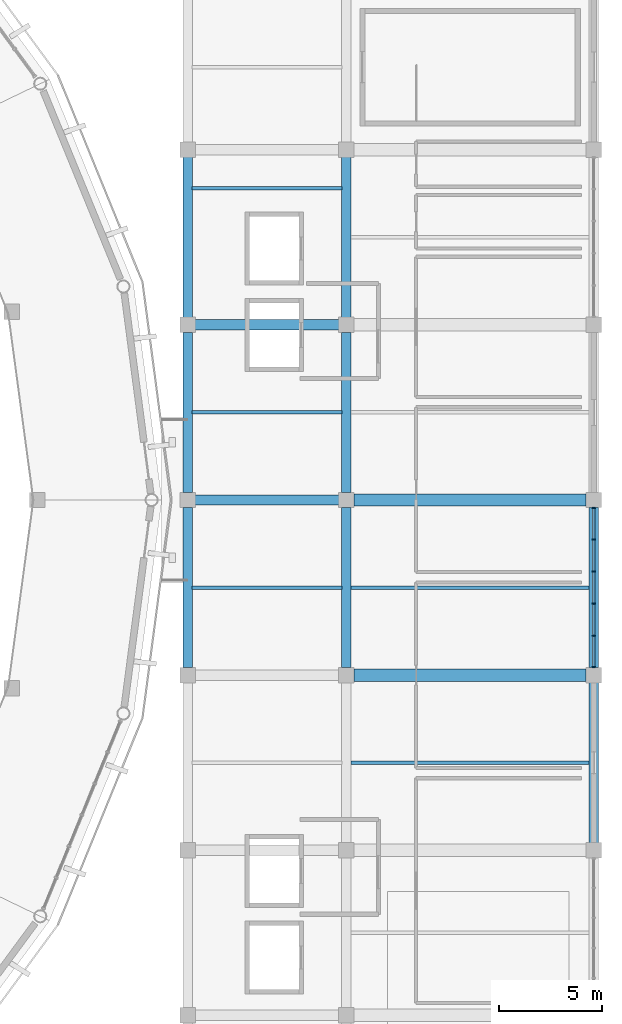
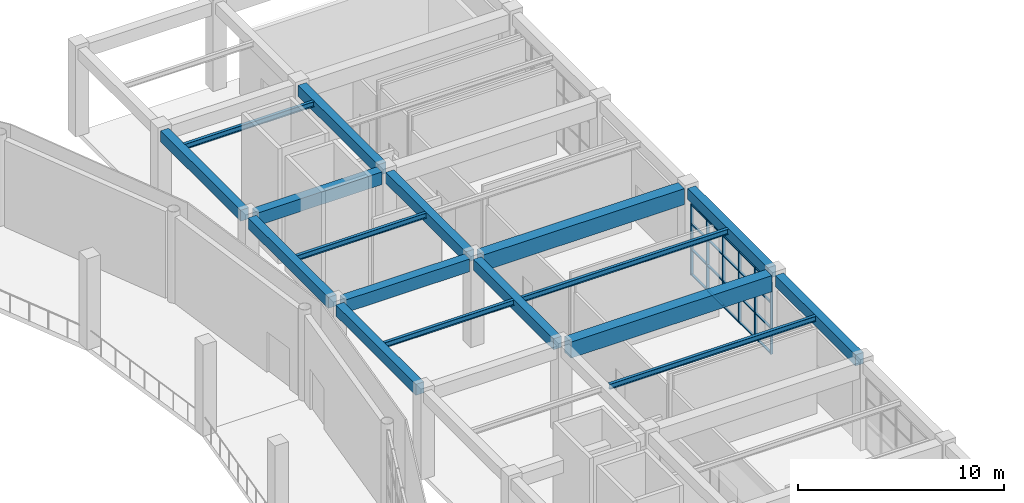
# One storey, part 22 of 40: 26 members, 17 beams, 1 element without a shape of its own.
"""IFC4 building model written with IfcOpenShell, lengths in metres."""

from ifc_helpers import new_model, si_unit, direction, frame, origin, origin_2d, place, context, subcontext, project, spatial, rectangle, i_section, extrude, material, material_profile, profile_set, type_object, element, aggregate, save


model = new_model("IFC4")

# Units and contexts
model_context = context("Model", 3, precision=1e-05, world=origin(), true_north=direction((0.0, 1.0)))
body_context = subcontext(model_context, "Body", "Model", "MODEL_VIEW")
ifc_project = project(units=[si_unit("LENGTHUNIT", "METRE"), si_unit("AREAUNIT", "SQUARE_METRE"), si_unit("VOLUMEUNIT", "CUBIC_METRE"), si_unit("PLANEANGLEUNIT", "RADIAN"), si_unit("MASSUNIT", "GRAM", prefix="KILO")], contexts=[model_context])

# Site, building, storey
site_placement = place(None, origin())
site = spatial("IfcSite", under=ifc_project, at=site_placement, CompositionType="ELEMENT")
building_placement = place(site_placement, origin())
building = spatial("IfcBuilding", under=site, at=building_placement, Name="Cuetzalor Civic Arena", CompositionType="ELEMENT")
storey_placement = place(building_placement, frame((0.0, 0.0, 26.39990234375)))
storey = spatial("IfcBuildingStorey", under=building, at=storey_placement, Name="L05", CompositionType="ELEMENT", Elevation=26.39990234375)

# Beams
ifc_material_1 = material(Name="Concrete C40/50", Category="concrete")
ifc_material_profile_1 = material_profile(ifc_material_1, rectangle(XDim=0.5, YDim=0.75, at=origin_2d()), Name="RC 500x750")
ifc_profile_set_1 = profile_set([ifc_material_profile_1], Name="Concrete C40/50")
beam_type_1 = type_object("IfcBeamType", Name="ConcreteFrameBeam_500x750", PredefinedType="BEAM", material=ifc_profile_set_1)
for number, where, z_axis, x_axis, name in (
    (1, (56.6650390625, 0.0, 4.80517578125), (1.0, 0.0, 0.0), (0.0, 1.0, 0.0), "Frame Girder V4E-L05-X1252"),
    (2, (56.6650390625, 8.5, 4.80517578125), (1.0, 0.0, 0.0), (0.0, 1.0, 0.0), "Frame Girder V4E-L05-X1254"),
):
    element("IfcBeam", number, at=place(storey_placement, frame(where, z_axis=z_axis, x_axis=x_axis)), inside=storey, type_object=beam_type_1, Name=name, PredefinedType="BEAM", context=body_context, shape_type="SweptSolid", body=[
        extrude(rectangle(XDim=0.5, YDim=0.75, at=origin_2d()), origin(), (0.0, 0.0, 1.0), 6.969970703125),
    ])
ifc_material_2 = material(Name="Concrete C40/50", Category="concrete")
ifc_material_profile_2 = material_profile(ifc_material_2, rectangle(XDim=0.60009765625, YDim=0.949951171875, at=origin_2d()), Name="RC 600x950")
ifc_profile_set_2 = profile_set([ifc_material_profile_2], Name="Concrete C40/50")
beam_type_2 = type_object("IfcBeamType", Name="ConcreteFrameBeam_600x950", PredefinedType="BEAM", material=ifc_profile_set_2)
for number, where, z_axis, x_axis, name in (
    (3, (64.364990234375, -8.5, 4.705078125), (1.0, 0.0, 0.0), (0.0, 1.0, 0.0), "Frame Girder V4E-L05-X1251"),
    (4, (64.364990234375, 0.0, 4.705078125), (1.0, 0.0, 0.0), (0.0, 1.0, 0.0), "Frame Girder V4E-L05-X1253"),
):
    element("IfcBeam", number, at=place(storey_placement, frame(where, z_axis=z_axis, x_axis=x_axis)), inside=storey, type_object=beam_type_2, Name=name, PredefinedType="BEAM", context=body_context, shape_type="SweptSolid", body=[
        extrude(rectangle(XDim=0.60009765625, YDim=0.949951171875, at=origin_2d()), origin(), (0.0, 0.0, 1.0), 11.27001953125),
    ])
ifc_material_3 = material(Name="Concrete C40/50", Category="concrete")
ifc_material_profile_3 = material_profile(ifc_material_3, rectangle(XDim=0.449951171875, YDim=0.64990234375, at=origin_2d()), Name="RC 450x650")
ifc_profile_set_3 = profile_set([ifc_material_profile_3], Name="Concrete C40/50")
beam_type_3 = type_object("IfcBeamType", Name="ConcreteTieBeam_450x650", PredefinedType="BEAM", material=ifc_profile_set_3)
for number, where, z_axis, x_axis, name in (
    (5, (56.300048828125, -8.135009765625, 4.85498046875), (0.0, 1.0, 0.0), (-1.0, 0.0, 0.0), "Frame Girder V4E-L05-Y1263"),
    (6, (56.300048828125, 0.364990234375, 4.85498046875), (0.0, 1.0, 0.0), (-1.0, 0.0, 0.0), "Frame Girder V4E-L05-Y1264"),
    (7, (56.300048828125, 8.864990234375, 4.85498046875), (0.0, 1.0, 0.0), (-1.0, 0.0, 0.0), "Frame Girder V4E-L05-Y1265"),
    (8, (64.0, -8.135009765625, 4.85498046875), (0.0, 1.0, 0.0), (-1.0, 0.0, 0.0), "Frame Girder V4E-L05-Y1270"),
    (9, (64.0, 0.364990234375, 4.85498046875), (0.0, 1.0, 0.0), (-1.0, 0.0, 0.0), "Frame Girder V4E-L05-Y1271"),
    (10, (64.0, 8.864990234375, 4.85498046875), (0.0, 1.0, 0.0), (-1.0, 0.0, 0.0), "Frame Girder V4E-L05-Y1272"),
    (11, (76.0, -16.635009765625, 4.85498046875), (0.0, 1.0, 0.0), (-1.0, 0.0, 0.0), "Frame Girder V4E-L05-Y1276"),
    (12, (76.0, -8.135009765625, 4.85498046875), (0.0, 1.0, 0.0), (-1.0, 0.0, 0.0), "Frame Girder V4E-L05-Y1277"),
):
    element("IfcBeam", number, at=place(storey_placement, frame(where, z_axis=z_axis, x_axis=x_axis)), inside=storey, type_object=beam_type_3, Name=name, PredefinedType="BEAM", context=body_context, shape_type="SweptSolid", body=[
        extrude(rectangle(XDim=0.449951171875, YDim=0.64990234375, at=origin_2d()), origin(), (0.0, 0.0, 1.0), 7.77001953125),
    ])

# Curtain wall, members
ifc_material_4 = material(Name="Anodised dark bronze aluminium and low-E solar glass", Category="aluminium")
curtain_wall_type = type_object("IfcCurtainWallType", Name="UnitisedCW_7800x4200", PredefinedType="USERDEFINED", material=ifc_material_4)
curtain_wall_placement = place(storey_placement, origin())
curtain_wall = element("IfcCurtainWall", 13, at=curtain_wall_placement, inside=storey, type_object=curtain_wall_type, Name="V4E Media Broadcast Curtain Wall L05-155", ObjectType="UNITISED CURTAIN WALL", PredefinedType="USERDEFINED")
ifc_material_5 = material(Name="Anodised dark bronze aluminium", Category="aluminium")
ifc_material_profile_4 = material_profile(ifc_material_5, rectangle(XDim=0.06494140625, YDim=0.14990234375, at=origin_2d()), Name="ALU MULLION 65x150")
ifc_profile_set_4 = profile_set([ifc_material_profile_4], Name="Anodised dark bronze aluminium")
member_type_1 = type_object("IfcMemberType", Name="CurtainWallMullion_60x150", PredefinedType="MULLION", material=ifc_profile_set_4)
member_1_placement = place(storey_placement, frame((76.0, -0.389404296875, 0.0), z_axis=(0.0, 0.0, 1.0), x_axis=(0.0, -1.0, 0.0)))
member_1 = element("IfcMember", 14, at=member_1_placement, type_object=member_type_1, Name="CW-50 mullion 1", PredefinedType="MULLION", context=body_context, shape_type="SweptSolid", body=[
    extrude(rectangle(XDim=0.06494140625, YDim=0.14990234375, at=origin_2d()), origin(), (0.0, 0.0, 1.0), 4.22021484375),
])
member_2_placement = place(storey_placement, frame((76.0, -1.914306640625, 0.0), z_axis=(0.0, 0.0, 1.0), x_axis=(0.0, -1.0, 0.0)))
member_2 = element("IfcMember", 15, at=member_2_placement, type_object=member_type_1, Name="CW-50 mullion 2", PredefinedType="MULLION", context=body_context, shape_type="SweptSolid", body=[
    extrude(rectangle(XDim=0.06494140625, YDim=0.14990234375, at=origin_2d()), origin(), (0.0, 0.0, 1.0), 4.22021484375),
])
member_3_placement = place(storey_placement, frame((76.0, -3.471435546875, 0.0), z_axis=(0.0, 0.0, 1.0), x_axis=(0.0, -1.0, 0.0)))
member_3 = element("IfcMember", 16, at=member_3_placement, type_object=member_type_1, Name="CW-50 mullion 3", PredefinedType="MULLION", context=body_context, shape_type="SweptSolid", body=[
    extrude(rectangle(XDim=0.06494140625, YDim=0.14990234375, at=origin_2d()), origin(), (0.0, 0.0, 1.0), 4.22021484375),
])
member_4_placement = place(storey_placement, frame((76.0, -5.028564453125, 0.0), z_axis=(0.0, 0.0, 1.0), x_axis=(0.0, -1.0, 0.0)))
member_4 = element("IfcMember", 17, at=member_4_placement, type_object=member_type_1, Name="CW-50 mullion 4", PredefinedType="MULLION", context=body_context, shape_type="SweptSolid", body=[
    extrude(rectangle(XDim=0.06494140625, YDim=0.14990234375, at=origin_2d()), origin(), (0.0, 0.0, 1.0), 4.22021484375),
])
member_5_placement = place(storey_placement, frame((76.0, -6.585693359375, 0.0), z_axis=(0.0, 0.0, 1.0), x_axis=(0.0, -1.0, 0.0)))
member_5 = element("IfcMember", 18, at=member_5_placement, type_object=member_type_1, Name="CW-50 mullion 5", PredefinedType="MULLION", context=body_context, shape_type="SweptSolid", body=[
    extrude(rectangle(XDim=0.06494140625, YDim=0.14990234375, at=origin_2d()), origin(), (0.0, 0.0, 1.0), 4.22021484375),
])
member_6_placement = place(storey_placement, frame((76.0, -8.110595703125, 0.0), z_axis=(0.0, 0.0, 1.0), x_axis=(0.0, -1.0, 0.0)))
member_6 = element("IfcMember", 19, at=member_6_placement, type_object=member_type_1, Name="CW-50 mullion 6", PredefinedType="MULLION", context=body_context, shape_type="SweptSolid", body=[
    extrude(rectangle(XDim=0.06494140625, YDim=0.14990234375, at=origin_2d()), origin(), (0.0, 0.0, 1.0), 4.22021484375),
])
ifc_material_6 = material(Name="Anodised dark bronze aluminium", Category="aluminium")
ifc_material_profile_5 = material_profile(ifc_material_6, rectangle(XDim=0.1201171875, YDim=0.06494140625, at=origin_2d()), Name="ALU TRANSOM 65x120")
ifc_profile_set_5 = profile_set([ifc_material_profile_5], Name="Anodised dark bronze aluminium")
member_type_2 = type_object("IfcMemberType", Name="CurtainWallTransom_60x120", PredefinedType="USERDEFINED", material=ifc_profile_set_5)
member_7_placement = place(storey_placement, frame((76.0, -0.422119140625, 0.03271484375), z_axis=(0.0, -1.0, 0.0), x_axis=(1.0, 0.0, 0.0)))
member_7 = element("IfcMember", 20, at=member_7_placement, type_object=member_type_2, Name="CW-50 transom 1.1", ObjectType="TRANSOM", PredefinedType="USERDEFINED", context=body_context, shape_type="SweptSolid", body=[
    extrude(rectangle(XDim=0.1201171875, YDim=0.06494140625, at=origin_2d()), origin(), (0.0, 0.0, 1.0), 1.45947265625),
])
member_8_placement = place(storey_placement, frame((76.0, -0.422119140625, 1.51904296875), z_axis=(0.0, -1.0, 0.0), x_axis=(1.0, 0.0, 0.0)))
member_8 = element("IfcMember", 21, at=member_8_placement, type_object=member_type_2, Name="CW-50 transom 1.2", ObjectType="TRANSOM", PredefinedType="USERDEFINED", context=body_context, shape_type="SweptSolid", body=[
    extrude(rectangle(XDim=0.1201171875, YDim=0.06494140625, at=origin_2d()), origin(), (0.0, 0.0, 1.0), 1.45947265625),
])
member_9_placement = place(storey_placement, frame((76.0, -0.422119140625, 3.0380859375), z_axis=(0.0, -1.0, 0.0), x_axis=(1.0, 0.0, 0.0)))
member_9 = element("IfcMember", 22, at=member_9_placement, type_object=member_type_2, Name="CW-50 transom 1.3", ObjectType="TRANSOM", PredefinedType="USERDEFINED", context=body_context, shape_type="SweptSolid", body=[
    extrude(rectangle(XDim=0.1201171875, YDim=0.06494140625, at=origin_2d()), origin(), (0.0, 0.0, 1.0), 1.45947265625),
])
member_10_placement = place(storey_placement, frame((76.0, -0.422119140625, 4.1875), z_axis=(0.0, -1.0, 0.0), x_axis=(1.0, 0.0, 0.0)))
member_10 = element("IfcMember", 23, at=member_10_placement, type_object=member_type_2, Name="CW-50 transom 1.4", ObjectType="TRANSOM", PredefinedType="USERDEFINED", context=body_context, shape_type="SweptSolid", body=[
    extrude(rectangle(XDim=0.1201171875, YDim=0.06494140625, at=origin_2d()), origin(), (0.0, 0.0, 1.0), 1.45947265625),
])
member_11_placement = place(storey_placement, frame((76.0, -1.94677734375, 0.03271484375), z_axis=(0.0, -1.0, 0.0), x_axis=(1.0, 0.0, 0.0)))
member_11 = element("IfcMember", 24, at=member_11_placement, type_object=member_type_2, Name="CW-50 transom 2.1", ObjectType="TRANSOM", PredefinedType="USERDEFINED", context=body_context, shape_type="SweptSolid", body=[
    extrude(rectangle(XDim=0.1201171875, YDim=0.06494140625, at=origin_2d()), origin(), (0.0, 0.0, 1.0), 1.4921875),
])
member_12_placement = place(storey_placement, frame((76.0, -1.94677734375, 1.51904296875), z_axis=(0.0, -1.0, 0.0), x_axis=(1.0, 0.0, 0.0)))
member_12 = element("IfcMember", 25, at=member_12_placement, type_object=member_type_2, Name="CW-50 transom 2.2", ObjectType="TRANSOM", PredefinedType="USERDEFINED", context=body_context, shape_type="SweptSolid", body=[
    extrude(rectangle(XDim=0.1201171875, YDim=0.06494140625, at=origin_2d()), origin(), (0.0, 0.0, 1.0), 1.4921875),
])
member_13_placement = place(storey_placement, frame((76.0, -1.94677734375, 3.0380859375), z_axis=(0.0, -1.0, 0.0), x_axis=(1.0, 0.0, 0.0)))
member_13 = element("IfcMember", 26, at=member_13_placement, type_object=member_type_2, Name="CW-50 transom 2.3", ObjectType="TRANSOM", PredefinedType="USERDEFINED", context=body_context, shape_type="SweptSolid", body=[
    extrude(rectangle(XDim=0.1201171875, YDim=0.06494140625, at=origin_2d()), origin(), (0.0, 0.0, 1.0), 1.4921875),
])
member_14_placement = place(storey_placement, frame((76.0, -1.94677734375, 4.1875), z_axis=(0.0, -1.0, 0.0), x_axis=(1.0, 0.0, 0.0)))
member_14 = element("IfcMember", 27, at=member_14_placement, type_object=member_type_2, Name="CW-50 transom 2.4", ObjectType="TRANSOM", PredefinedType="USERDEFINED", context=body_context, shape_type="SweptSolid", body=[
    extrude(rectangle(XDim=0.1201171875, YDim=0.06494140625, at=origin_2d()), origin(), (0.0, 0.0, 1.0), 1.4921875),
])
member_15_placement = place(storey_placement, frame((76.0, -3.50390625, 0.03271484375), z_axis=(0.0, -1.0, 0.0), x_axis=(1.0, 0.0, 0.0)))
member_15 = element("IfcMember", 28, at=member_15_placement, type_object=member_type_2, Name="CW-50 transom 3.1", ObjectType="TRANSOM", PredefinedType="USERDEFINED", context=body_context, shape_type="SweptSolid", body=[
    extrude(rectangle(XDim=0.1201171875, YDim=0.06494140625, at=origin_2d()), origin(), (0.0, 0.0, 1.0), 1.4921875),
])
member_16_placement = place(storey_placement, frame((76.0, -3.50390625, 1.51904296875), z_axis=(0.0, -1.0, 0.0), x_axis=(1.0, 0.0, 0.0)))
member_16 = element("IfcMember", 29, at=member_16_placement, type_object=member_type_2, Name="CW-50 transom 3.2", ObjectType="TRANSOM", PredefinedType="USERDEFINED", context=body_context, shape_type="SweptSolid", body=[
    extrude(rectangle(XDim=0.1201171875, YDim=0.06494140625, at=origin_2d()), origin(), (0.0, 0.0, 1.0), 1.4921875),
])
member_17_placement = place(storey_placement, frame((76.0, -3.50390625, 3.0380859375), z_axis=(0.0, -1.0, 0.0), x_axis=(1.0, 0.0, 0.0)))
member_17 = element("IfcMember", 30, at=member_17_placement, type_object=member_type_2, Name="CW-50 transom 3.3", ObjectType="TRANSOM", PredefinedType="USERDEFINED", context=body_context, shape_type="SweptSolid", body=[
    extrude(rectangle(XDim=0.1201171875, YDim=0.06494140625, at=origin_2d()), origin(), (0.0, 0.0, 1.0), 1.4921875),
])
member_18_placement = place(storey_placement, frame((76.0, -3.50390625, 4.1875), z_axis=(0.0, -1.0, 0.0), x_axis=(1.0, 0.0, 0.0)))
member_18 = element("IfcMember", 31, at=member_18_placement, type_object=member_type_2, Name="CW-50 transom 3.4", ObjectType="TRANSOM", PredefinedType="USERDEFINED", context=body_context, shape_type="SweptSolid", body=[
    extrude(rectangle(XDim=0.1201171875, YDim=0.06494140625, at=origin_2d()), origin(), (0.0, 0.0, 1.0), 1.4921875),
])
member_19_placement = place(storey_placement, frame((76.0, -5.06103515625, 0.03271484375), z_axis=(0.0, -1.0, 0.0), x_axis=(1.0, 0.0, 0.0)))
member_19 = element("IfcMember", 32, at=member_19_placement, type_object=member_type_2, Name="CW-50 transom 4.1", ObjectType="TRANSOM", PredefinedType="USERDEFINED", context=body_context, shape_type="SweptSolid", body=[
    extrude(rectangle(XDim=0.1201171875, YDim=0.06494140625, at=origin_2d()), origin(), (0.0, 0.0, 1.0), 1.4921875),
])
member_20_placement = place(storey_placement, frame((76.0, -5.06103515625, 1.51904296875), z_axis=(0.0, -1.0, 0.0), x_axis=(1.0, 0.0, 0.0)))
member_20 = element("IfcMember", 33, at=member_20_placement, type_object=member_type_2, Name="CW-50 transom 4.2", ObjectType="TRANSOM", PredefinedType="USERDEFINED", context=body_context, shape_type="SweptSolid", body=[
    extrude(rectangle(XDim=0.1201171875, YDim=0.06494140625, at=origin_2d()), origin(), (0.0, 0.0, 1.0), 1.4921875),
])
member_21_placement = place(storey_placement, frame((76.0, -5.06103515625, 3.0380859375), z_axis=(0.0, -1.0, 0.0), x_axis=(1.0, 0.0, 0.0)))
member_21 = element("IfcMember", 34, at=member_21_placement, type_object=member_type_2, Name="CW-50 transom 4.3", ObjectType="TRANSOM", PredefinedType="USERDEFINED", context=body_context, shape_type="SweptSolid", body=[
    extrude(rectangle(XDim=0.1201171875, YDim=0.06494140625, at=origin_2d()), origin(), (0.0, 0.0, 1.0), 1.4921875),
])
member_22_placement = place(storey_placement, frame((76.0, -5.06103515625, 4.1875), z_axis=(0.0, -1.0, 0.0), x_axis=(1.0, 0.0, 0.0)))
member_22 = element("IfcMember", 35, at=member_22_placement, type_object=member_type_2, Name="CW-50 transom 4.4", ObjectType="TRANSOM", PredefinedType="USERDEFINED", context=body_context, shape_type="SweptSolid", body=[
    extrude(rectangle(XDim=0.1201171875, YDim=0.06494140625, at=origin_2d()), origin(), (0.0, 0.0, 1.0), 1.4921875),
])
member_23_placement = place(storey_placement, frame((76.0, -6.618408203125, 0.03271484375), z_axis=(0.0, -1.0, 0.0), x_axis=(1.0, 0.0, 0.0)))
member_23 = element("IfcMember", 36, at=member_23_placement, type_object=member_type_2, Name="CW-50 transom 5.1", ObjectType="TRANSOM", PredefinedType="USERDEFINED", context=body_context, shape_type="SweptSolid", body=[
    extrude(rectangle(XDim=0.1201171875, YDim=0.06494140625, at=origin_2d()), origin(), (0.0, 0.0, 1.0), 1.45947265625),
])
member_24_placement = place(storey_placement, frame((76.0, -6.618408203125, 1.51904296875), z_axis=(0.0, -1.0, 0.0), x_axis=(1.0, 0.0, 0.0)))
member_24 = element("IfcMember", 37, at=member_24_placement, type_object=member_type_2, Name="CW-50 transom 5.2", ObjectType="TRANSOM", PredefinedType="USERDEFINED", context=body_context, shape_type="SweptSolid", body=[
    extrude(rectangle(XDim=0.1201171875, YDim=0.06494140625, at=origin_2d()), origin(), (0.0, 0.0, 1.0), 1.45947265625),
])
member_25_placement = place(storey_placement, frame((76.0, -6.618408203125, 3.0380859375), z_axis=(0.0, -1.0, 0.0), x_axis=(1.0, 0.0, 0.0)))
member_25 = element("IfcMember", 38, at=member_25_placement, type_object=member_type_2, Name="CW-50 transom 5.3", ObjectType="TRANSOM", PredefinedType="USERDEFINED", context=body_context, shape_type="SweptSolid", body=[
    extrude(rectangle(XDim=0.1201171875, YDim=0.06494140625, at=origin_2d()), origin(), (0.0, 0.0, 1.0), 1.45947265625),
])
member_26_placement = place(storey_placement, frame((76.0, -6.618408203125, 4.1875), z_axis=(0.0, -1.0, 0.0), x_axis=(1.0, 0.0, 0.0)))
member_26 = element("IfcMember", 39, at=member_26_placement, type_object=member_type_2, Name="CW-50 transom 5.4", ObjectType="TRANSOM", PredefinedType="USERDEFINED", context=body_context, shape_type="SweptSolid", body=[
    extrude(rectangle(XDim=0.1201171875, YDim=0.06494140625, at=origin_2d()), origin(), (0.0, 0.0, 1.0), 1.45947265625),
])
aggregate(curtain_wall, [member_1, member_2, member_3, member_4, member_5, member_6, member_7, member_8, member_9, member_10, member_11, member_12, member_13, member_14, member_15, member_16, member_17, member_18, member_19, member_20, member_21, member_22, member_23, member_24, member_25, member_26])

# Beams
ifc_material_7 = material(Name="Steel S355", Category="steel")
ifc_material_profile_6 = material_profile(ifc_material_7, i_section(OverallWidth=0.166015625, OverallDepth=0.31298828125, WebThickness=0.006591796875, FlangeThickness=0.01123046875, at=origin_2d()), Name="W310x45")
ifc_profile_set_6 = profile_set([ifc_material_profile_6], Name="Steel S355")
beam_type_4 = type_object("IfcBeamType", Name="SecondaryRoofJoist_W310", PredefinedType="JOIST", material=ifc_profile_set_6)
for number, where, z_axis, x_axis, name in (
    (40, (56.51708984375, -4.25, 5.023681640625), (1.0, 0.0, 0.0), (0.0, 1.0, 0.0), "Secondary Floor Joist V4E-L05-0391"),
    (41, (56.51708984375, 4.25, 5.023681640625), (1.0, 0.0, 0.0), (0.0, 1.0, 0.0), "Secondary Floor Joist V4E-L05-0392"),
    (42, (56.51708984375, 15.1298828125, 5.023681640625), (1.0, 0.0, 0.0), (0.0, 1.0, 0.0), "Secondary Floor Joist V4E-L05-0393"),
):
    element("IfcBeam", number, at=place(storey_placement, frame(where, z_axis=z_axis, x_axis=x_axis)), inside=storey, type_object=beam_type_4, Name=name, PredefinedType="JOIST", context=body_context, shape_type="SweptSolid", body=[
        extrude(i_section(OverallWidth=0.166015625, OverallDepth=0.31298828125, WebThickness=0.006591796875, FlangeThickness=0.01123046875, at=origin_2d()), origin(), (0.0, 0.0, 1.0), 7.265869140625),
    ])
for number, where, z_axis, x_axis, name in (
    (43, (64.217041015625, -12.75, 5.023681640625), (1.0, 0.0, 0.0), (0.0, 1.0, 0.0), "Secondary Floor Joist V4E-L05-0396"),
    (44, (64.217041015625, -4.25, 5.023681640625), (1.0, 0.0, 0.0), (0.0, 1.0, 0.0), "Secondary Floor Joist V4E-L05-0397"),
):
    element("IfcBeam", number, at=place(storey_placement, frame(where, z_axis=z_axis, x_axis=x_axis)), inside=storey, type_object=beam_type_4, Name=name, PredefinedType="JOIST", context=body_context, shape_type="SweptSolid", body=[
        extrude(i_section(OverallWidth=0.166015625, OverallDepth=0.31298828125, WebThickness=0.006591796875, FlangeThickness=0.01123046875, at=origin_2d()), origin(), (0.0, 0.0, 1.0), 11.56591796875),
    ])

save(model, "model.ifc")
